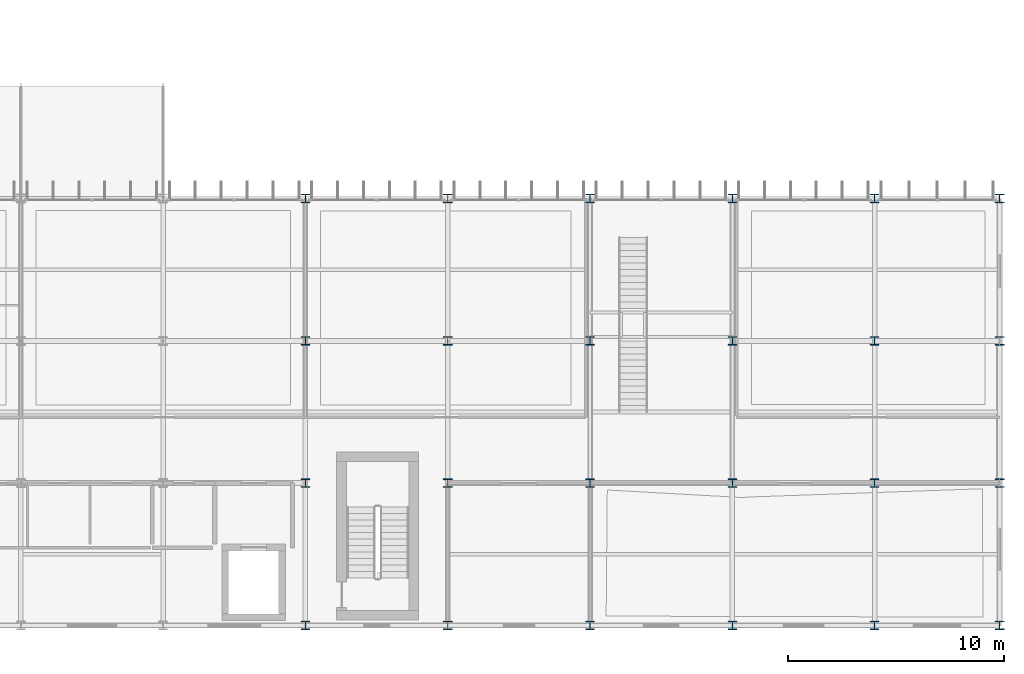
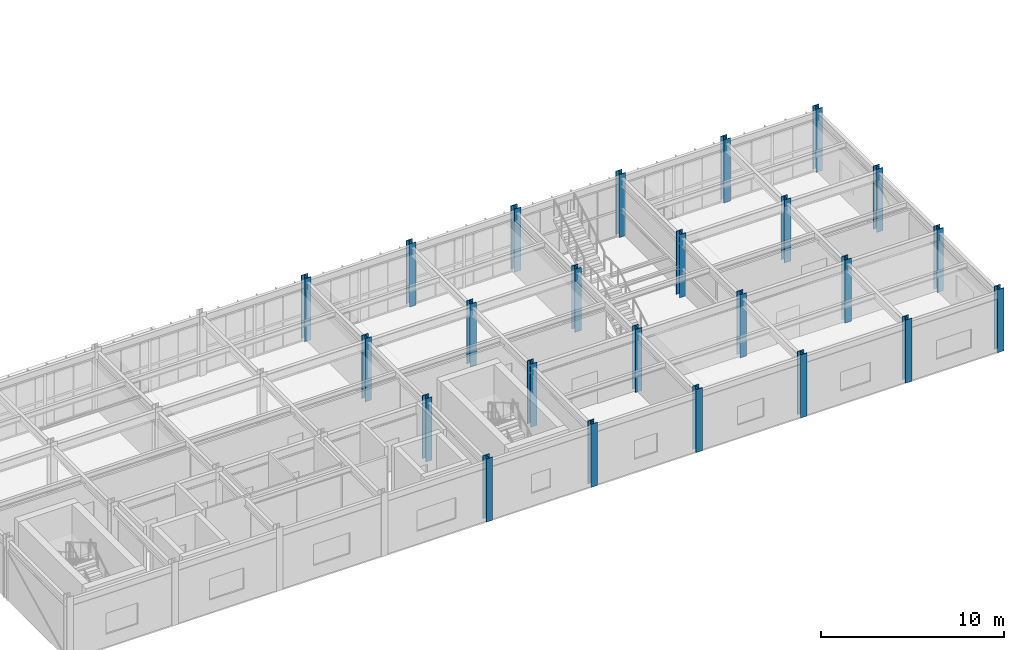
# One storey, part 17 of 148: 24 columns.
"""IFC4 building model written with IfcOpenShell, lengths in metres."""

from ifc_helpers import new_model, si_unit, direction, frame, origin, origin_2d, place, context, subcontext, project, spatial, i_section, extrude, material, material_profile, profile_set, type_object, element, save


model = new_model("IFC4")

# Units and contexts
model_context = context("Model", 3, precision=1e-05, world=origin(), true_north=direction((0.0, 1.0)))
body_context = subcontext(model_context, "Body", "Model", "MODEL_VIEW")
ifc_project = project(units=[si_unit("LENGTHUNIT", "METRE"), si_unit("AREAUNIT", "SQUARE_METRE"), si_unit("VOLUMEUNIT", "CUBIC_METRE"), si_unit("PLANEANGLEUNIT", "RADIAN"), si_unit("MASSUNIT", "GRAM", prefix="KILO")], contexts=[model_context])

# Site, building, storey
site_placement = place(None, origin())
site = spatial("IfcSite", under=ifc_project, at=site_placement, CompositionType="ELEMENT")
building_placement = place(site_placement, origin())
building = spatial("IfcBuilding", under=site, at=building_placement, Name="Karori Crest Natural Sciences Institute", CompositionType="ELEMENT")
storey_placement = place(building_placement, frame((0.0, 0.0, 4.89990234375)))
storey = spatial("IfcBuildingStorey", under=building, at=storey_placement, Name="L01", CompositionType="ELEMENT", Elevation=4.89990234375)

# Columns
ifc_material = material(Name="Structural steel AS/NZS 3679.1 Grade 350", Category="steel")
ifc_material_profile_1 = material_profile(ifc_material, i_section(OverallWidth=0.39990234375, OverallDepth=0.39990234375, WebThickness=0.02001953125, FlangeThickness=0.034912109375, FilletRadius=0.01611328125, at=origin_2d()), Name="400WC328")
ifc_profile_set_1 = profile_set([ifc_material_profile_1], Name="Structural steel AS/NZS 3679.1 Grade 350")
column_type_1 = type_object("IfcColumnType", Name="CT-02", PredefinedType="COLUMN", material=ifc_profile_set_1)
for number, where, z_axis, x_axis, name in (
    (1, (130.0, 7.39990234375, 0.0), (0.0, 0.0, 1.0), (1.0, 0.0, 0.0), "Column C-1223"),
    (2, (130.0, 14.0, 0.0), (0.0, 0.0, 1.0), (1.0, 0.0, 0.0), "Column C-1235"),
    (3, (136.60009765625, 7.39990234375, 0.0), (0.0, 0.0, 1.0), (1.0, 0.0, 0.0), "Column C-1271"),
    (4, (136.60009765625, 14.0, 0.0), (0.0, 0.0, 1.0), (1.0, 0.0, 0.0), "Column C-1283"),
    (5, (143.199951171875, 7.39990234375, 0.0), (0.0, 0.0, 1.0), (1.0, 0.0, 0.0), "Column C-1318"),
    (6, (143.199951171875, 14.0, 0.0), (0.0, 0.0, 1.0), (1.0, 0.0, 0.0), "Column C-1329"),
    (7, (149.800048828125, 7.39990234375, 0.0), (0.0, 0.0, 1.0), (1.0, 0.0, 0.0), "Column C-1362"),
    (8, (149.800048828125, 14.0, 0.0), (0.0, 0.0, 1.0), (1.0, 0.0, 0.0), "Column C-1373"),
    (9, (156.39990234375, 7.39990234375, 0.0), (0.0, 0.0, 1.0), (1.0, 0.0, 0.0), "Column C-1404"),
    (10, (156.39990234375, 14.0, 0.0), (0.0, 0.0, 1.0), (1.0, 0.0, 0.0), "Column C-1413"),
):
    element("IfcColumn", number, at=place(storey_placement, frame(where, z_axis=z_axis, x_axis=x_axis)), inside=storey, type_object=column_type_1, Name=name, PredefinedType="COLUMN", context=body_context, shape_type="SweptSolid", body=[
        extrude(i_section(OverallWidth=0.39990234375, OverallDepth=0.39990234375, WebThickness=0.02001953125, FlangeThickness=0.034912109375, FilletRadius=0.01611328125, at=origin_2d()), origin(), (0.0, 0.0, 1.0), 4.2001953125),
    ])
ifc_material_profile_2 = material_profile(ifc_material, i_section(OverallWidth=0.39990234375, OverallDepth=0.39990234375, WebThickness=0.02001953125, FlangeThickness=0.034912109375, FilletRadius=0.01611328125, at=origin_2d()), Name="400WC328")
ifc_profile_set_2 = profile_set([ifc_material_profile_2], Name="Structural steel AS/NZS 3679.1 Grade 350")
column_type_2 = type_object("IfcColumnType", Name="CT-02-EL", PredefinedType="COLUMN", material=ifc_profile_set_2)
for number, where, z_axis, x_axis, name in (
    (11, (130.0, 0.800048828125, 0.0), (0.0, 0.0, 1.0), (1.0, 0.0, 0.0), "Column C-1211"),
    (12, (130.0, 20.60009765625, 0.0), (0.0, 0.0, 1.0), (1.0, 0.0, 0.0), "Column C-1247"),
    (13, (136.60009765625, 0.800048828125, 0.0), (0.0, 0.0, 1.0), (1.0, 0.0, 0.0), "Column C-1259"),
    (14, (136.60009765625, 20.60009765625, 0.0), (0.0, 0.0, 1.0), (1.0, 0.0, 0.0), "Column C-1295"),
    (15, (143.199951171875, 0.800048828125, 0.0), (0.0, 0.0, 1.0), (1.0, 0.0, 0.0), "Column C-1307"),
    (16, (143.199951171875, 20.60009765625, 0.0), (0.0, 0.0, 1.0), (1.0, 0.0, 0.0), "Column C-1340"),
    (17, (149.800048828125, 0.800048828125, 0.0), (0.0, 0.0, 1.0), (1.0, 0.0, 0.0), "Column C-1351"),
    (18, (149.800048828125, 20.60009765625, 0.0), (0.0, 0.0, 1.0), (1.0, 0.0, 0.0), "Column C-1384"),
    (19, (156.39990234375, 0.800048828125, 0.0), (0.0, 0.0, 1.0), (1.0, 0.0, 0.0), "Column C-1395"),
    (20, (156.39990234375, 20.60009765625, 0.0), (0.0, 0.0, 1.0), (1.0, 0.0, 0.0), "Column C-1422"),
    (21, (162.199951171875, 0.800048828125, 0.0), (0.0, 0.0, 1.0), (1.0, 0.0, 0.0), "Column C-1431"),
    (22, (162.199951171875, 7.39990234375, 0.0), (0.0, 0.0, 1.0), (1.0, 0.0, 0.0), "Column C-1438"),
    (23, (162.199951171875, 14.0, 0.0), (0.0, 0.0, 1.0), (1.0, 0.0, 0.0), "Column C-1445"),
    (24, (162.199951171875, 20.60009765625, 0.0), (0.0, 0.0, 1.0), (1.0, 0.0, 0.0), "Column C-1452"),
):
    element("IfcColumn", number, at=place(storey_placement, frame(where, z_axis=z_axis, x_axis=x_axis)), inside=storey, type_object=column_type_2, Name=name, PredefinedType="COLUMN", context=body_context, shape_type="SweptSolid", body=[
        extrude(i_section(OverallWidth=0.39990234375, OverallDepth=0.39990234375, WebThickness=0.02001953125, FlangeThickness=0.034912109375, FilletRadius=0.01611328125, at=origin_2d()), origin(), (0.0, 0.0, 1.0), 4.2001953125),
    ])

save(model, "model.ifc")
